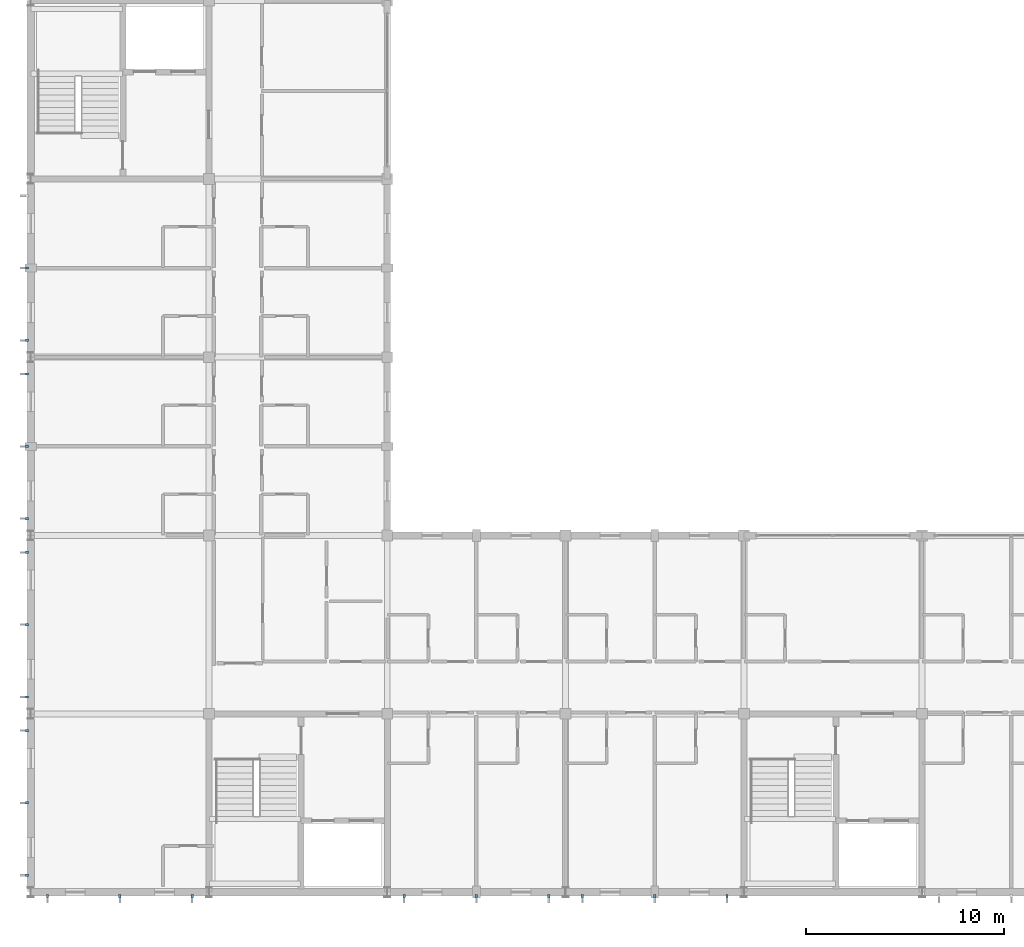
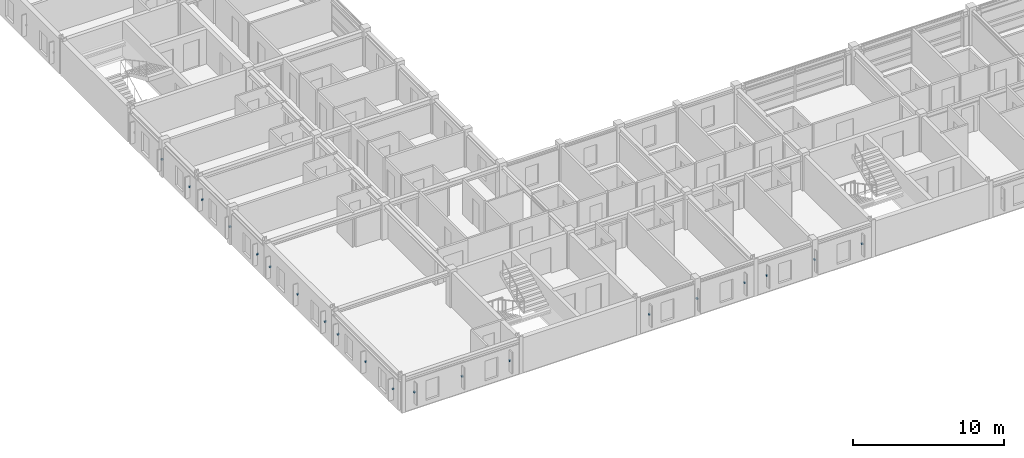
# One storey, part 24 of 30: 20 discrete accessories.
"""IFC4 building model written with IfcOpenShell, lengths in metres."""

from ifc_helpers import new_model, si_unit, direction, frame, origin, origin_2d, place, context, subcontext, project, spatial, rectangle, extrude, material, type_object, element, save


model = new_model("IFC4")

# Units and contexts
model_context = context("Model", 3, precision=1e-05, world=origin(), true_north=direction((0.0, 1.0)))
body_context = subcontext(model_context, "Body", "Model", "MODEL_VIEW")
ifc_project = project(units=[si_unit("LENGTHUNIT", "METRE"), si_unit("AREAUNIT", "SQUARE_METRE"), si_unit("VOLUMEUNIT", "CUBIC_METRE"), si_unit("PLANEANGLEUNIT", "RADIAN"), si_unit("MASSUNIT", "GRAM", prefix="KILO")], contexts=[model_context])

# Site, building, storey
site_placement = place(None, origin())
site = spatial("IfcSite", under=ifc_project, at=site_placement, CompositionType="ELEMENT")
building_placement = place(site_placement, origin())
building = spatial("IfcBuilding", under=site, at=building_placement, Name="Palais des Congres Ocreval", CompositionType="ELEMENT")
storey_placement = place(building_placement, frame((0.0, 0.0, 14.56005859375)))
storey = spatial("IfcBuildingStorey", under=building, at=storey_placement, Name="L04", CompositionType="ELEMENT", Elevation=14.56005859375)

# Discrete accessories
ifc_material = material(Name="Steel S355", Category="steel")
discrete_accessory_type = type_object("IfcDiscreteAccessoryType", Name="Stainless Brise-Soleil Fixing Bracket", PredefinedType="BRACKET", material=ifc_material)
for number, where, z_axis, x_axis, name in (
    (1, (35.14990234375, -0.18994140625, 1.289794921875), (0.0, 0.0, 1.0), (0.0, -1.0, 0.0), "Celosia Fixing Bracket BK01"),
    (2, (31.5, -0.18994140625, 1.289794921875), (0.0, 0.0, 1.0), (0.0, -1.0, 0.0), "Celosia Fixing Bracket BK01"),
    (3, (27.85009765625, -0.18994140625, 1.289794921875), (0.0, 0.0, 1.0), (0.0, -1.0, 0.0), "Celosia Fixing Bracket BK01"),
    (4, (26.14990234375, -0.18994140625, 1.289794921875), (0.0, 0.0, 1.0), (0.0, -1.0, 0.0), "Celosia Fixing Bracket BK01"),
    (5, (22.5, -0.18994140625, 1.289794921875), (0.0, 0.0, 1.0), (0.0, -1.0, 0.0), "Celosia Fixing Bracket BK01"),
    (6, (18.85009765625, -0.18994140625, 1.289794921875), (0.0, 0.0, 1.0), (0.0, -1.0, 0.0), "Celosia Fixing Bracket BK01"),
    (7, (8.14990234375, -0.18994140625, 1.289794921875), (0.0, 0.0, 1.0), (0.0, -1.0, 0.0), "Celosia Fixing Bracket BK01"),
    (8, (4.5, -0.18994140625, 1.289794921875), (0.0, 0.0, 1.0), (0.0, -1.0, 0.0), "Celosia Fixing Bracket BK01"),
    (9, (0.85009765625, -0.18994140625, 1.289794921875), (0.0, 0.0, 1.0), (0.0, -1.0, 0.0), "Celosia Fixing Bracket BK01"),
    (10, (-0.18994140625, 0.85009765625, 1.289794921875), (0.0, 0.0, 1.0), (-1.0, 0.0, 0.0), "Celosia Fixing Bracket BK01"),
    (11, (-0.18994140625, 4.5, 1.289794921875), (0.0, 0.0, 1.0), (-1.0, 0.0, 0.0), "Celosia Fixing Bracket BK01"),
    (12, (-0.18994140625, 8.14990234375, 1.289794921875), (0.0, 0.0, 1.0), (-1.0, 0.0, 0.0), "Celosia Fixing Bracket BK01"),
    (13, (-0.18994140625, 9.85009765625, 1.289794921875), (0.0, 0.0, 1.0), (-1.0, 0.0, 0.0), "Celosia Fixing Bracket BK01"),
    (14, (-0.18994140625, 13.5, 1.289794921875), (0.0, 0.0, 1.0), (-1.0, 0.0, 0.0), "Celosia Fixing Bracket BK01"),
    (15, (-0.18994140625, 17.14990234375, 1.289794921875), (0.0, 0.0, 1.0), (-1.0, 0.0, 0.0), "Celosia Fixing Bracket BK01"),
    (16, (-0.18994140625, 18.85009765625, 1.289794921875), (0.0, 0.0, 1.0), (-1.0, 0.0, 0.0), "Celosia Fixing Bracket BK01"),
    (17, (-0.18994140625, 22.5, 1.289794921875), (0.0, 0.0, 1.0), (-1.0, 0.0, 0.0), "Celosia Fixing Bracket BK01"),
    (18, (-0.18994140625, 26.14990234375, 1.289794921875), (0.0, 0.0, 1.0), (-1.0, 0.0, 0.0), "Celosia Fixing Bracket BK01"),
    (19, (-0.18994140625, 27.85009765625, 1.289794921875), (0.0, 0.0, 1.0), (-1.0, 0.0, 0.0), "Celosia Fixing Bracket BK01"),
    (20, (-0.18994140625, 31.5, 1.289794921875), (0.0, 0.0, 1.0), (-1.0, 0.0, 0.0), "Celosia Fixing Bracket BK01"),
):
    element("IfcDiscreteAccessory", number, at=place(storey_placement, frame(where, z_axis=z_axis, x_axis=x_axis)), inside=storey, type_object=discrete_accessory_type, Name=name, PredefinedType="BRACKET", context=body_context, shape_type="SweptSolid", body=[
        extrude(rectangle(XDim=0.159912109375, YDim=0.1201171875, at=origin_2d()), origin(), (0.0, 0.0, 1.0), 0.1201171875),
    ])

save(model, "model.ifc")
